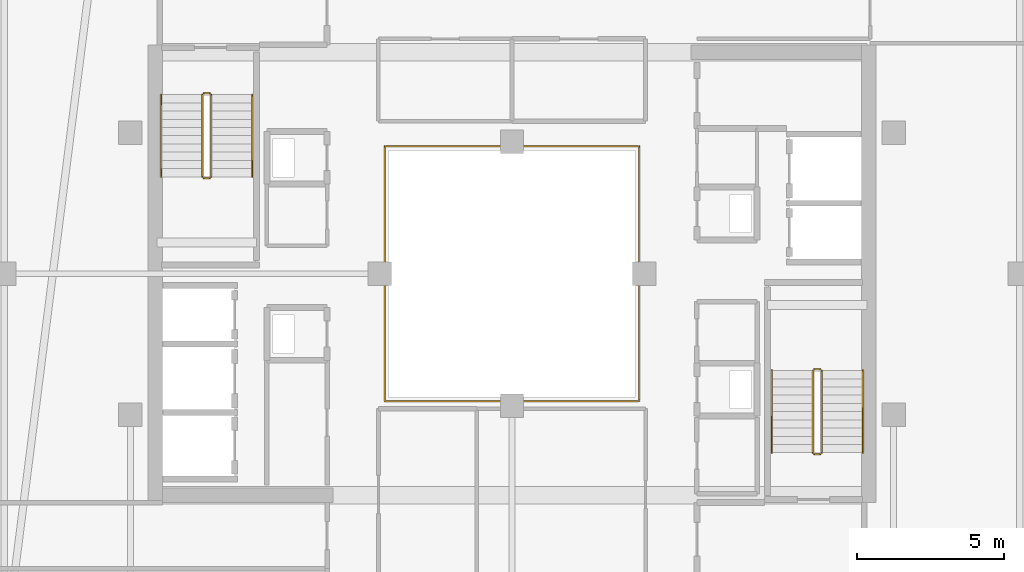
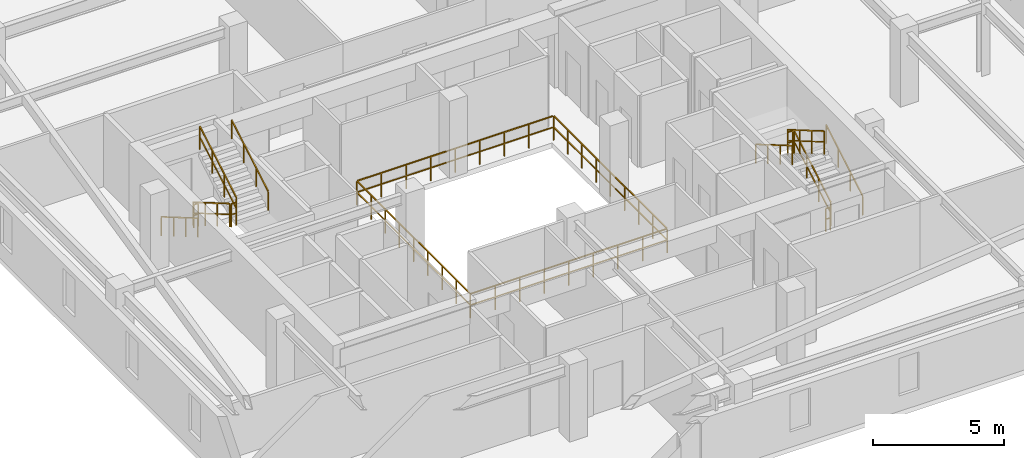
# One storey, part 34 of 35: 13 railings.
"""IFC4 building model written with IfcOpenShell, lengths in metres."""

from ifc_helpers import new_model, si_unit, direction, frame, origin, origin_2d, place, context, subcontext, project, spatial, rectangle, extrude, material, type_object, element, save


model = new_model("IFC4")

# Units and contexts
model_context = context("Model", 3, precision=1e-05, world=origin(), true_north=direction((0.0, 1.0)))
body_context = subcontext(model_context, "Body", "Model", "MODEL_VIEW")
ifc_project = project(units=[si_unit("LENGTHUNIT", "METRE"), si_unit("AREAUNIT", "SQUARE_METRE"), si_unit("VOLUMEUNIT", "CUBIC_METRE"), si_unit("PLANEANGLEUNIT", "RADIAN"), si_unit("MASSUNIT", "GRAM", prefix="KILO")], contexts=[model_context])

# Site, building, storey
site_placement = place(None, origin())
site = spatial("IfcSite", under=ifc_project, at=site_placement, CompositionType="ELEMENT")
building_placement = place(site_placement, origin())
building = spatial("IfcBuilding", under=site, at=building_placement, Name="Thornwick Lancets Civic Towers", CompositionType="ELEMENT")
storey_placement = place(building_placement, frame((0.0, 0.0, 265.5)))
storey = spatial("IfcBuildingStorey", under=building, at=storey_placement, Name="L71", CompositionType="ELEMENT", Elevation=265.5)

# Railings
ifc_material_1 = material(Name="Laminated glass and bronze steel S355", Category="steel")
railing_type_1 = type_object("IfcRailingType", Name="RAIL_ATRIUM_GUARD", PredefinedType="BALUSTRADE", material=ifc_material_1)
railing_1_placement = place(storey_placement, frame((84.159912109375, 22.659912109375, 0.0)))
element("IfcRailing", 1, at=railing_1_placement, inside=storey, type_object=railing_type_1, Name="L71 Tower B Central Atrium Guard Balustrade", PredefinedType="BALUSTRADE", context=body_context, shape_type="SweptSolid", body=[
    extrude(rectangle(XDim=0.048095703125, YDim=0.048095703125, at=origin_2d()), frame((0.0, 0.0, 1.1259765625), z_axis=(1.0, 0.0, 0.0), x_axis=(0.0, 1.0, 0.0)), (0.0, 0.0, 1.0), 8.64892578125),
    extrude(rectangle(XDim=0.0419921875, YDim=0.0419921875, at=origin_2d()), frame((0.03759765625, 0.0, 0.597900390625), z_axis=(1.0, 0.0, 0.0), x_axis=(0.0, 1.0, 0.0)), (0.0, 0.0, 1.0), 1.010009765625),
    extrude(rectangle(XDim=0.0419921875, YDim=0.0419921875, at=origin_2d()), frame((1.12255859375, 0.0, 0.597900390625), z_axis=(1.0, 0.0, 0.0), x_axis=(0.0, 1.0, 0.0)), (0.0, 0.0, 1.0), 1.010009765625),
    extrude(rectangle(XDim=0.0419921875, YDim=0.0419921875, at=origin_2d()), frame((2.20751953125, 0.0, 0.597900390625), z_axis=(1.0, 0.0, 0.0), x_axis=(0.0, 1.0, 0.0)), (0.0, 0.0, 1.0), 1.010009765625),
    extrude(rectangle(XDim=0.0419921875, YDim=0.0419921875, at=origin_2d()), frame((3.29248046875, 0.0, 0.597900390625), z_axis=(1.0, 0.0, 0.0), x_axis=(0.0, 1.0, 0.0)), (0.0, 0.0, 1.0), 1.010009765625),
    extrude(rectangle(XDim=0.0419921875, YDim=0.0419921875, at=origin_2d()), frame((4.377685546875, 0.0, 0.597900390625), z_axis=(1.0, 0.0, 0.0), x_axis=(0.0, 1.0, 0.0)), (0.0, 0.0, 1.0), 1.010009765625),
    extrude(rectangle(XDim=0.0419921875, YDim=0.0419921875, at=origin_2d()), frame((5.462646484375, 0.0, 0.597900390625), z_axis=(1.0, 0.0, 0.0), x_axis=(0.0, 1.0, 0.0)), (0.0, 0.0, 1.0), 1.010009765625),
    extrude(rectangle(XDim=0.0419921875, YDim=0.0419921875, at=origin_2d()), frame((6.547607421875, 0.0, 0.597900390625), z_axis=(1.0, 0.0, 0.0), x_axis=(0.0, 1.0, 0.0)), (0.0, 0.0, 1.0), 1.010009765625),
    extrude(rectangle(XDim=0.0419921875, YDim=0.0419921875, at=origin_2d()), frame((7.632568359375, 0.0, 0.597900390625), z_axis=(1.0, 0.0, 0.0), x_axis=(0.0, 1.0, 0.0)), (0.0, 0.0, 1.0), 1.010009765625),
    extrude(rectangle(XDim=0.048095703125, YDim=0.048095703125, at=origin_2d()), frame((8.68017578125, 0.03125, 1.1259765625), z_axis=(0.0, 1.0, 0.0), x_axis=(-1.0, 0.0, 0.0)), (0.0, 0.0, 1.0), 8.61767578125),
    extrude(rectangle(XDim=0.0419921875, YDim=0.0419921875, at=origin_2d()), frame((8.68017578125, 0.03759765625, 0.597900390625), z_axis=(0.0, 1.0, 0.0), x_axis=(-1.0, 0.0, 0.0)), (0.0, 0.0, 1.0), 1.010009765625),
    extrude(rectangle(XDim=0.0419921875, YDim=0.0419921875, at=origin_2d()), frame((8.68017578125, 1.12255859375, 0.597900390625), z_axis=(0.0, 1.0, 0.0), x_axis=(-1.0, 0.0, 0.0)), (0.0, 0.0, 1.0), 1.010009765625),
    extrude(rectangle(XDim=0.0419921875, YDim=0.0419921875, at=origin_2d()), frame((8.68017578125, 2.20751953125, 0.597900390625), z_axis=(0.0, 1.0, 0.0), x_axis=(-1.0, 0.0, 0.0)), (0.0, 0.0, 1.0), 1.010009765625),
    extrude(rectangle(XDim=0.0419921875, YDim=0.0419921875, at=origin_2d()), frame((8.68017578125, 3.29248046875, 0.597900390625), z_axis=(0.0, 1.0, 0.0), x_axis=(-1.0, 0.0, 0.0)), (0.0, 0.0, 1.0), 1.010009765625),
    extrude(rectangle(XDim=0.0419921875, YDim=0.0419921875, at=origin_2d()), frame((8.68017578125, 4.377685546875, 0.597900390625), z_axis=(0.0, 1.0, 0.0), x_axis=(-1.0, 0.0, 0.0)), (0.0, 0.0, 1.0), 1.010009765625),
    extrude(rectangle(XDim=0.0419921875, YDim=0.0419921875, at=origin_2d()), frame((8.68017578125, 5.462646484375, 0.597900390625), z_axis=(0.0, 1.0, 0.0), x_axis=(-1.0, 0.0, 0.0)), (0.0, 0.0, 1.0), 1.010009765625),
    extrude(rectangle(XDim=0.0419921875, YDim=0.0419921875, at=origin_2d()), frame((8.68017578125, 6.547607421875, 0.597900390625), z_axis=(0.0, 1.0, 0.0), x_axis=(-1.0, 0.0, 0.0)), (0.0, 0.0, 1.0), 1.010009765625),
    extrude(rectangle(XDim=0.0419921875, YDim=0.0419921875, at=origin_2d()), frame((8.68017578125, 7.632568359375, 0.597900390625), z_axis=(0.0, 1.0, 0.0), x_axis=(-1.0, 0.0, 0.0)), (0.0, 0.0, 1.0), 1.010009765625),
    extrude(rectangle(XDim=0.048095703125, YDim=0.048095703125, at=origin_2d()), frame((8.64892578125, 8.68017578125, 1.1259765625), z_axis=(-1.0, 0.0, 0.0), x_axis=(0.0, -1.0, 0.0)), (0.0, 0.0, 1.0), 8.61767578125),
    extrude(rectangle(XDim=0.0419921875, YDim=0.0419921875, at=origin_2d()), frame((8.642578125, 8.68017578125, 0.597900390625), z_axis=(-1.0, 0.0, 0.0), x_axis=(0.0, -1.0, 0.0)), (0.0, 0.0, 1.0), 1.010009765625),
    extrude(rectangle(XDim=0.0419921875, YDim=0.0419921875, at=origin_2d()), frame((7.5576171875, 8.68017578125, 0.597900390625), z_axis=(-1.0, 0.0, 0.0), x_axis=(0.0, -1.0, 0.0)), (0.0, 0.0, 1.0), 1.010009765625),
    extrude(rectangle(XDim=0.0419921875, YDim=0.0419921875, at=origin_2d()), frame((6.47265625, 8.68017578125, 0.597900390625), z_axis=(-1.0, 0.0, 0.0), x_axis=(0.0, -1.0, 0.0)), (0.0, 0.0, 1.0), 1.010009765625),
    extrude(rectangle(XDim=0.0419921875, YDim=0.0419921875, at=origin_2d()), frame((5.3876953125, 8.68017578125, 0.597900390625), z_axis=(-1.0, 0.0, 0.0), x_axis=(0.0, -1.0, 0.0)), (0.0, 0.0, 1.0), 1.010009765625),
    extrude(rectangle(XDim=0.0419921875, YDim=0.0419921875, at=origin_2d()), frame((4.302490234375, 8.68017578125, 0.597900390625), z_axis=(-1.0, 0.0, 0.0), x_axis=(0.0, -1.0, 0.0)), (0.0, 0.0, 1.0), 1.010009765625),
    extrude(rectangle(XDim=0.0419921875, YDim=0.0419921875, at=origin_2d()), frame((3.217529296875, 8.68017578125, 0.597900390625), z_axis=(-1.0, 0.0, 0.0), x_axis=(0.0, -1.0, 0.0)), (0.0, 0.0, 1.0), 1.010009765625),
    extrude(rectangle(XDim=0.0419921875, YDim=0.0419921875, at=origin_2d()), frame((2.132568359375, 8.68017578125, 0.597900390625), z_axis=(-1.0, 0.0, 0.0), x_axis=(0.0, -1.0, 0.0)), (0.0, 0.0, 1.0), 1.010009765625),
    extrude(rectangle(XDim=0.0419921875, YDim=0.0419921875, at=origin_2d()), frame((1.047607421875, 8.68017578125, 0.597900390625), z_axis=(-1.0, 0.0, 0.0), x_axis=(0.0, -1.0, 0.0)), (0.0, 0.0, 1.0), 1.010009765625),
    extrude(rectangle(XDim=0.048095703125, YDim=0.048095703125, at=origin_2d()), frame((0.0, 8.64892578125, 1.1259765625), z_axis=(0.0, -1.0, 0.0), x_axis=(1.0, 0.0, 0.0)), (0.0, 0.0, 1.0), 8.64892578125),
    extrude(rectangle(XDim=0.0419921875, YDim=0.0419921875, at=origin_2d()), frame((0.0, 8.642578125, 0.597900390625), z_axis=(0.0, -1.0, 0.0), x_axis=(1.0, 0.0, 0.0)), (0.0, 0.0, 1.0), 1.010009765625),
    extrude(rectangle(XDim=0.0419921875, YDim=0.0419921875, at=origin_2d()), frame((0.0, 7.5576171875, 0.597900390625), z_axis=(0.0, -1.0, 0.0), x_axis=(1.0, 0.0, 0.0)), (0.0, 0.0, 1.0), 1.010009765625),
    extrude(rectangle(XDim=0.0419921875, YDim=0.0419921875, at=origin_2d()), frame((0.0, 6.47265625, 0.597900390625), z_axis=(0.0, -1.0, 0.0), x_axis=(1.0, 0.0, 0.0)), (0.0, 0.0, 1.0), 1.010009765625),
    extrude(rectangle(XDim=0.0419921875, YDim=0.0419921875, at=origin_2d()), frame((0.0, 5.3876953125, 0.597900390625), z_axis=(0.0, -1.0, 0.0), x_axis=(1.0, 0.0, 0.0)), (0.0, 0.0, 1.0), 1.010009765625),
    extrude(rectangle(XDim=0.0419921875, YDim=0.0419921875, at=origin_2d()), frame((0.0, 4.302490234375, 0.597900390625), z_axis=(0.0, -1.0, 0.0), x_axis=(1.0, 0.0, 0.0)), (0.0, 0.0, 1.0), 1.010009765625),
    extrude(rectangle(XDim=0.0419921875, YDim=0.0419921875, at=origin_2d()), frame((0.0, 3.217529296875, 0.597900390625), z_axis=(0.0, -1.0, 0.0), x_axis=(1.0, 0.0, 0.0)), (0.0, 0.0, 1.0), 1.010009765625),
    extrude(rectangle(XDim=0.0419921875, YDim=0.0419921875, at=origin_2d()), frame((0.0, 2.132568359375, 0.597900390625), z_axis=(0.0, -1.0, 0.0), x_axis=(1.0, 0.0, 0.0)), (0.0, 0.0, 1.0), 1.010009765625),
    extrude(rectangle(XDim=0.0419921875, YDim=0.0419921875, at=origin_2d()), frame((0.0, 1.047607421875, 0.597900390625), z_axis=(0.0, -1.0, 0.0), x_axis=(1.0, 0.0, 0.0)), (0.0, 0.0, 1.0), 1.010009765625),
    extrude(rectangle(XDim=0.0419921875, YDim=0.0419921875, at=origin_2d()), origin(), (0.0, 0.0, 1.0), 1.095703125),
    extrude(rectangle(XDim=0.0419921875, YDim=0.0419921875, at=origin_2d()), frame((1.0849609375, 0.0, 0.0)), (0.0, 0.0, 1.0), 1.095703125),
    extrude(rectangle(XDim=0.0419921875, YDim=0.0419921875, at=origin_2d()), frame((2.169921875, 0.0, 0.0)), (0.0, 0.0, 1.0), 1.095703125),
    extrude(rectangle(XDim=0.0419921875, YDim=0.0419921875, at=origin_2d()), frame((3.255126953125, 0.0, 0.0)), (0.0, 0.0, 1.0), 1.095703125),
    extrude(rectangle(XDim=0.0419921875, YDim=0.0419921875, at=origin_2d()), frame((4.340087890625, 0.0, 0.0)), (0.0, 0.0, 1.0), 1.095703125),
    extrude(rectangle(XDim=0.0419921875, YDim=0.0419921875, at=origin_2d()), frame((5.425048828125, 0.0, 0.0)), (0.0, 0.0, 1.0), 1.095703125),
    extrude(rectangle(XDim=0.0419921875, YDim=0.0419921875, at=origin_2d()), frame((6.51025390625, 0.0, 0.0)), (0.0, 0.0, 1.0), 1.095703125),
    extrude(rectangle(XDim=0.0419921875, YDim=0.0419921875, at=origin_2d()), frame((7.59521484375, 0.0, 0.0)), (0.0, 0.0, 1.0), 1.095703125),
    extrude(rectangle(XDim=0.0419921875, YDim=0.0419921875, at=origin_2d()), frame((8.68017578125, 0.0, 0.0)), (0.0, 0.0, 1.0), 1.095703125),
    extrude(rectangle(XDim=0.0419921875, YDim=0.0419921875, at=origin_2d()), frame((8.68017578125, 1.0849609375, 0.0)), (0.0, 0.0, 1.0), 1.095703125),
    extrude(rectangle(XDim=0.0419921875, YDim=0.0419921875, at=origin_2d()), frame((8.68017578125, 2.169921875, 0.0)), (0.0, 0.0, 1.0), 1.095703125),
    extrude(rectangle(XDim=0.0419921875, YDim=0.0419921875, at=origin_2d()), frame((8.68017578125, 3.255126953125, 0.0)), (0.0, 0.0, 1.0), 1.095703125),
    extrude(rectangle(XDim=0.0419921875, YDim=0.0419921875, at=origin_2d()), frame((8.68017578125, 4.340087890625, 0.0)), (0.0, 0.0, 1.0), 1.095703125),
    extrude(rectangle(XDim=0.0419921875, YDim=0.0419921875, at=origin_2d()), frame((8.68017578125, 5.425048828125, 0.0)), (0.0, 0.0, 1.0), 1.095703125),
    extrude(rectangle(XDim=0.0419921875, YDim=0.0419921875, at=origin_2d()), frame((8.68017578125, 6.51025390625, 0.0)), (0.0, 0.0, 1.0), 1.095703125),
    extrude(rectangle(XDim=0.0419921875, YDim=0.0419921875, at=origin_2d()), frame((8.68017578125, 7.59521484375, 0.0)), (0.0, 0.0, 1.0), 1.095703125),
    extrude(rectangle(XDim=0.0419921875, YDim=0.0419921875, at=origin_2d()), frame((8.68017578125, 8.68017578125, 0.0)), (0.0, 0.0, 1.0), 1.095703125),
    extrude(rectangle(XDim=0.0419921875, YDim=0.0419921875, at=origin_2d()), frame((7.59521484375, 8.68017578125, 0.0)), (0.0, 0.0, 1.0), 1.095703125),
    extrude(rectangle(XDim=0.0419921875, YDim=0.0419921875, at=origin_2d()), frame((6.51025390625, 8.68017578125, 0.0)), (0.0, 0.0, 1.0), 1.095703125),
    extrude(rectangle(XDim=0.0419921875, YDim=0.0419921875, at=origin_2d()), frame((5.425048828125, 8.68017578125, 0.0)), (0.0, 0.0, 1.0), 1.095703125),
    extrude(rectangle(XDim=0.0419921875, YDim=0.0419921875, at=origin_2d()), frame((4.340087890625, 8.68017578125, 0.0)), (0.0, 0.0, 1.0), 1.095703125),
    extrude(rectangle(XDim=0.0419921875, YDim=0.0419921875, at=origin_2d()), frame((3.255126953125, 8.68017578125, 0.0)), (0.0, 0.0, 1.0), 1.095703125),
    extrude(rectangle(XDim=0.0419921875, YDim=0.0419921875, at=origin_2d()), frame((2.169921875, 8.68017578125, 0.0)), (0.0, 0.0, 1.0), 1.095703125),
    extrude(rectangle(XDim=0.0419921875, YDim=0.0419921875, at=origin_2d()), frame((1.0849609375, 8.68017578125, 0.0)), (0.0, 0.0, 1.0), 1.095703125),
    extrude(rectangle(XDim=0.0419921875, YDim=0.0419921875, at=origin_2d()), frame((0.0, 8.68017578125, 0.0)), (0.0, 0.0, 1.0), 1.095703125),
    extrude(rectangle(XDim=0.0419921875, YDim=0.0419921875, at=origin_2d()), frame((0.0, 7.59521484375, 0.0)), (0.0, 0.0, 1.0), 1.095703125),
    extrude(rectangle(XDim=0.0419921875, YDim=0.0419921875, at=origin_2d()), frame((0.0, 6.51025390625, 0.0)), (0.0, 0.0, 1.0), 1.095703125),
    extrude(rectangle(XDim=0.0419921875, YDim=0.0419921875, at=origin_2d()), frame((0.0, 5.425048828125, 0.0)), (0.0, 0.0, 1.0), 1.095703125),
    extrude(rectangle(XDim=0.0419921875, YDim=0.0419921875, at=origin_2d()), frame((0.0, 4.340087890625, 0.0)), (0.0, 0.0, 1.0), 1.095703125),
    extrude(rectangle(XDim=0.0419921875, YDim=0.0419921875, at=origin_2d()), frame((0.0, 3.255126953125, 0.0)), (0.0, 0.0, 1.0), 1.095703125),
    extrude(rectangle(XDim=0.0419921875, YDim=0.0419921875, at=origin_2d()), frame((0.0, 2.169921875, 0.0)), (0.0, 0.0, 1.0), 1.095703125),
    extrude(rectangle(XDim=0.0419921875, YDim=0.0419921875, at=origin_2d()), frame((0.0, 1.0849609375, 0.0)), (0.0, 0.0, 1.0), 1.095703125),
])
ifc_material_2 = material(Name="Brushed stainless steel S355", Category="steel")
railing_type_2 = type_object("IfcRailingType", Name="RAIL_HANDRAIL", PredefinedType="HANDRAIL", material=ifc_material_2)
railing_2_placement = place(storey_placement, frame((100.449951171875, 20.89990234375, 0.16357421875)))
element("IfcRailing", 2, at=railing_2_placement, inside=storey, type_object=railing_type_2, Name="L71 ST-B1 stair handrail 1", PredefinedType="HANDRAIL", context=body_context, shape_type="SweptSolid", body=[
    extrude(rectangle(XDim=0.048095703125, YDim=0.048095703125, at=origin_2d()), frame((0.0, 0.0, 0.8857421875), z_axis=(0.0, 0.863360870873, 0.504586966384), x_axis=(-1.0, 0.0, 0.0)), (0.0, 0.0, 1.0), 3.2431640625),
    extrude(rectangle(XDim=0.0419921875, YDim=0.0419921875, at=origin_2d()), origin(), (0.0, 0.0, 1.0), 0.855712890625),
    extrude(rectangle(XDim=0.0419921875, YDim=0.0419921875, at=origin_2d()), frame((0.0, 0.933349609375, 0.54541015625)), (0.0, 0.0, 1.0), 0.855712890625),
    extrude(rectangle(XDim=0.0419921875, YDim=0.0419921875, at=origin_2d()), frame((0.0, 1.86669921875, 1.091064453125)), (0.0, 0.0, 1.0), 0.855712890625),
    extrude(rectangle(XDim=0.0419921875, YDim=0.0419921875, at=origin_2d()), frame((0.0, 2.800048828125, 1.636474609375)), (0.0, 0.0, 1.0), 0.855712890625),
])
for number, where, name in (
    (3, (97.35009765625, 23.699951171875, 1.963623046875), "L71 ST-B1 stair handrail 2"),
    (4, (76.550048828125, 33.10009765625, 0.16357421875), "L71 ST-B2 stair handrail 1"),
):
    element("IfcRailing", number, at=place(storey_placement, frame(where)), inside=storey, type_object=railing_type_2, Name=name, PredefinedType="HANDRAIL", context=body_context, shape_type="SweptSolid", body=[
        extrude(rectangle(XDim=0.048095703125, YDim=0.048095703125, at=origin_2d()), frame((0.0, 0.0, 0.8857421875), z_axis=(0.0, -0.863360870873, 0.504586966384), x_axis=(1.0, 0.0, 0.0)), (0.0, 0.0, 1.0), 3.2431640625),
        extrude(rectangle(XDim=0.0419921875, YDim=0.0419921875, at=origin_2d()), origin(), (0.0, 0.0, 1.0), 0.855712890625),
        extrude(rectangle(XDim=0.0419921875, YDim=0.0419921875, at=origin_2d()), frame((0.0, -0.933349609375, 0.54541015625)), (0.0, 0.0, 1.0), 0.855712890625),
        extrude(rectangle(XDim=0.0419921875, YDim=0.0419921875, at=origin_2d()), frame((0.0, -1.86669921875, 1.091064453125)), (0.0, 0.0, 1.0), 0.855712890625),
        extrude(rectangle(XDim=0.0419921875, YDim=0.0419921875, at=origin_2d()), frame((0.0, -2.800048828125, 1.636474609375)), (0.0, 0.0, 1.0), 0.855712890625),
    ])
railing_3_placement = place(storey_placement, frame((79.64990234375, 30.300048828125, 1.963623046875)))
element("IfcRailing", 5, at=railing_3_placement, inside=storey, type_object=railing_type_2, Name="L71 ST-B2 stair handrail 2", PredefinedType="HANDRAIL", context=body_context, shape_type="SweptSolid", body=[
    extrude(rectangle(XDim=0.048095703125, YDim=0.048095703125, at=origin_2d()), frame((0.0, 0.0, 0.8857421875), z_axis=(0.0, 0.863360870873, 0.504586966384), x_axis=(-1.0, 0.0, 0.0)), (0.0, 0.0, 1.0), 3.2431640625),
    extrude(rectangle(XDim=0.0419921875, YDim=0.0419921875, at=origin_2d()), origin(), (0.0, 0.0, 1.0), 0.855712890625),
    extrude(rectangle(XDim=0.0419921875, YDim=0.0419921875, at=origin_2d()), frame((0.0, 0.933349609375, 0.54541015625)), (0.0, 0.0, 1.0), 0.855712890625),
    extrude(rectangle(XDim=0.0419921875, YDim=0.0419921875, at=origin_2d()), frame((0.0, 1.86669921875, 1.091064453125)), (0.0, 0.0, 1.0), 0.855712890625),
    extrude(rectangle(XDim=0.0419921875, YDim=0.0419921875, at=origin_2d()), frame((0.0, 2.800048828125, 1.636474609375)), (0.0, 0.0, 1.0), 0.855712890625),
])
ifc_material_3 = material(Name="Steel S355JR", Category="steel")
railing_type_3 = type_object("IfcRailingType", Name="RAIL_STAIR_GUARD", PredefinedType="GUARDRAIL", material=ifc_material_3)
railing_4_placement = place(storey_placement, frame((99.050048828125, 20.89990234375, 0.16357421875)))
element("IfcRailing", 6, at=railing_4_placement, inside=storey, type_object=railing_type_3, Name="L71 ST-B1 stair guard 1", PredefinedType="GUARDRAIL", context=body_context, shape_type="SweptSolid", body=[
    extrude(rectangle(XDim=0.048095703125, YDim=0.048095703125, at=origin_2d()), frame((0.0, 0.0, 1.076171875), z_axis=(0.0, 0.863360870873, 0.504586966384), x_axis=(-1.0, 0.0, 0.0)), (0.0, 0.0, 1.0), 3.2431640625),
    extrude(rectangle(XDim=0.0419921875, YDim=0.0419921875, at=origin_2d()), frame((0.0, 0.032470703125, 0.591064453125), z_axis=(0.0, 0.863360870873, 0.504586966384), x_axis=(-1.0, 0.0, 0.0)), (0.0, 0.0, 1.0), 1.006103515625),
    extrude(rectangle(XDim=0.0419921875, YDim=0.0419921875, at=origin_2d()), frame((0.0, 0.9658203125, 1.136474609375), z_axis=(0.0, 0.863360870873, 0.504586966384), x_axis=(-1.0, 0.0, 0.0)), (0.0, 0.0, 1.0), 1.006103515625),
    extrude(rectangle(XDim=0.0419921875, YDim=0.0419921875, at=origin_2d()), frame((0.0, 1.899169921875, 1.681884765625), z_axis=(0.0, 0.863360870873, 0.504586966384), x_axis=(-1.0, 0.0, 0.0)), (0.0, 0.0, 1.0), 1.006103515625),
    extrude(rectangle(XDim=0.0419921875, YDim=0.0419921875, at=origin_2d()), origin(), (0.0, 0.0, 1.0), 1.0458984375),
    extrude(rectangle(XDim=0.0419921875, YDim=0.0419921875, at=origin_2d()), frame((0.0, 0.933349609375, 0.54541015625)), (0.0, 0.0, 1.0), 1.0458984375),
    extrude(rectangle(XDim=0.0419921875, YDim=0.0419921875, at=origin_2d()), frame((0.0, 1.86669921875, 1.091064453125)), (0.0, 0.0, 1.0), 1.0458984375),
    extrude(rectangle(XDim=0.0419921875, YDim=0.0419921875, at=origin_2d()), frame((0.0, 2.800048828125, 1.636474609375)), (0.0, 0.0, 1.0), 1.0458984375),
])
railing_5_placement = place(storey_placement, frame((99.0, 23.75, 1.800048828125)))
element("IfcRailing", 7, at=railing_5_placement, inside=storey, type_object=railing_type_3, Name="L71 ST-B1 stair guard 2", PredefinedType="GUARDRAIL", context=body_context, shape_type="SweptSolid", body=[
    extrude(rectangle(XDim=0.048095703125, YDim=0.048095703125, at=origin_2d()), frame((0.0, 0.0, 1.076171875), z_axis=(-1.0, 0.0, 0.0), x_axis=(0.0, -1.0, 0.0)), (0.0, 0.0, 1.0), 0.199951171875),
    extrude(rectangle(XDim=0.0419921875, YDim=0.0419921875, at=origin_2d()), frame((-0.03759765625, 0.0, 0.572021484375), z_axis=(-1.0, 0.0, 0.0), x_axis=(0.0, -1.0, 0.0)), (0.0, 0.0, 1.0), 0.125),
    extrude(rectangle(XDim=0.0419921875, YDim=0.0419921875, at=origin_2d()), origin(), (0.0, 0.0, 1.0), 1.0458984375),
    extrude(rectangle(XDim=0.0419921875, YDim=0.0419921875, at=origin_2d()), frame((-0.199951171875, 0.0, 0.0)), (0.0, 0.0, 1.0), 1.0458984375),
])
railing_6_placement = place(storey_placement, frame((98.75, 23.699951171875, 1.963623046875)))
element("IfcRailing", 8, at=railing_6_placement, inside=storey, type_object=railing_type_3, Name="L71 ST-B1 stair guard 3", PredefinedType="GUARDRAIL", context=body_context, shape_type="SweptSolid", body=[
    extrude(rectangle(XDim=0.048095703125, YDim=0.048095703125, at=origin_2d()), frame((0.0, 0.0, 1.076171875), z_axis=(0.0, -0.863360870873, 0.504586966384), x_axis=(1.0, 0.0, 0.0)), (0.0, 0.0, 1.0), 3.2431640625),
    extrude(rectangle(XDim=0.0419921875, YDim=0.0419921875, at=origin_2d()), frame((0.0, -0.032470703125, 0.591064453125), z_axis=(0.0, -0.863360870873, 0.504586966384), x_axis=(1.0, 0.0, 0.0)), (0.0, 0.0, 1.0), 1.006103515625),
    extrude(rectangle(XDim=0.0419921875, YDim=0.0419921875, at=origin_2d()), frame((0.0, -0.9658203125, 1.136474609375), z_axis=(0.0, -0.863360870873, 0.504586966384), x_axis=(1.0, 0.0, 0.0)), (0.0, 0.0, 1.0), 1.006103515625),
    extrude(rectangle(XDim=0.0419921875, YDim=0.0419921875, at=origin_2d()), frame((0.0, -1.899169921875, 1.681884765625), z_axis=(0.0, -0.863360870873, 0.504586966384), x_axis=(1.0, 0.0, 0.0)), (0.0, 0.0, 1.0), 1.006103515625),
    extrude(rectangle(XDim=0.0419921875, YDim=0.0419921875, at=origin_2d()), origin(), (0.0, 0.0, 1.0), 1.0458984375),
    extrude(rectangle(XDim=0.0419921875, YDim=0.0419921875, at=origin_2d()), frame((0.0, -0.933349609375, 0.54541015625)), (0.0, 0.0, 1.0), 1.0458984375),
    extrude(rectangle(XDim=0.0419921875, YDim=0.0419921875, at=origin_2d()), frame((0.0, -1.86669921875, 1.091064453125)), (0.0, 0.0, 1.0), 1.0458984375),
    extrude(rectangle(XDim=0.0419921875, YDim=0.0419921875, at=origin_2d()), frame((0.0, -2.800048828125, 1.636474609375)), (0.0, 0.0, 1.0), 1.0458984375),
])
railing_7_placement = place(storey_placement, frame((99.0, 20.85009765625, 0.0)))
element("IfcRailing", 9, at=railing_7_placement, inside=storey, type_object=railing_type_3, Name="L71 ST-B1 stair guard 4", PredefinedType="GUARDRAIL", context=body_context, shape_type="SweptSolid", body=[
    extrude(rectangle(XDim=0.048095703125, YDim=0.048095703125, at=origin_2d()), frame((0.0, 0.0, 1.076171875), z_axis=(-1.0, 0.0, 0.0), x_axis=(0.0, -1.0, 0.0)), (0.0, 0.0, 1.0), 0.199951171875),
    extrude(rectangle(XDim=0.0419921875, YDim=0.0419921875, at=origin_2d()), frame((-0.03759765625, 0.0, 0.572021484375), z_axis=(-1.0, 0.0, 0.0), x_axis=(0.0, -1.0, 0.0)), (0.0, 0.0, 1.0), 0.125),
    extrude(rectangle(XDim=0.0419921875, YDim=0.0419921875, at=origin_2d()), origin(), (0.0, 0.0, 1.0), 1.0458984375),
    extrude(rectangle(XDim=0.0419921875, YDim=0.0419921875, at=origin_2d()), frame((-0.199951171875, 0.0, 0.0)), (0.0, 0.0, 1.0), 1.0458984375),
])
railing_8_placement = place(storey_placement, frame((77.949951171875, 33.10009765625, 0.16357421875)))
element("IfcRailing", 10, at=railing_8_placement, inside=storey, type_object=railing_type_3, Name="L71 ST-B2 stair guard 1", PredefinedType="GUARDRAIL", context=body_context, shape_type="SweptSolid", body=[
    extrude(rectangle(XDim=0.048095703125, YDim=0.048095703125, at=origin_2d()), frame((0.0, 0.0, 1.076171875), z_axis=(0.0, -0.863360870873, 0.504586966384), x_axis=(1.0, 0.0, 0.0)), (0.0, 0.0, 1.0), 3.2431640625),
    extrude(rectangle(XDim=0.0419921875, YDim=0.0419921875, at=origin_2d()), frame((0.0, -0.032470703125, 0.591064453125), z_axis=(0.0, -0.863360870873, 0.504586966384), x_axis=(1.0, 0.0, 0.0)), (0.0, 0.0, 1.0), 1.006103515625),
    extrude(rectangle(XDim=0.0419921875, YDim=0.0419921875, at=origin_2d()), frame((0.0, -0.9658203125, 1.136474609375), z_axis=(0.0, -0.863360870873, 0.504586966384), x_axis=(1.0, 0.0, 0.0)), (0.0, 0.0, 1.0), 1.006103515625),
    extrude(rectangle(XDim=0.0419921875, YDim=0.0419921875, at=origin_2d()), frame((0.0, -1.899169921875, 1.681884765625), z_axis=(0.0, -0.863360870873, 0.504586966384), x_axis=(1.0, 0.0, 0.0)), (0.0, 0.0, 1.0), 1.006103515625),
    extrude(rectangle(XDim=0.0419921875, YDim=0.0419921875, at=origin_2d()), origin(), (0.0, 0.0, 1.0), 1.0458984375),
    extrude(rectangle(XDim=0.0419921875, YDim=0.0419921875, at=origin_2d()), frame((0.0, -0.933349609375, 0.54541015625)), (0.0, 0.0, 1.0), 1.0458984375),
    extrude(rectangle(XDim=0.0419921875, YDim=0.0419921875, at=origin_2d()), frame((0.0, -1.86669921875, 1.091064453125)), (0.0, 0.0, 1.0), 1.0458984375),
    extrude(rectangle(XDim=0.0419921875, YDim=0.0419921875, at=origin_2d()), frame((0.0, -2.800048828125, 1.636474609375)), (0.0, 0.0, 1.0), 1.0458984375),
])
railing_9_placement = place(storey_placement, frame((78.0, 30.25, 1.800048828125)))
element("IfcRailing", 11, at=railing_9_placement, inside=storey, type_object=railing_type_3, Name="L71 ST-B2 stair guard 2", PredefinedType="GUARDRAIL", context=body_context, shape_type="SweptSolid", body=[
    extrude(rectangle(XDim=0.048095703125, YDim=0.048095703125, at=origin_2d()), frame((0.0, 0.0, 1.076171875), z_axis=(1.0, 0.0, 0.0), x_axis=(0.0, 1.0, 0.0)), (0.0, 0.0, 1.0), 0.199951171875),
    extrude(rectangle(XDim=0.0419921875, YDim=0.0419921875, at=origin_2d()), frame((0.03759765625, 0.0, 0.572021484375), z_axis=(1.0, 0.0, 0.0), x_axis=(0.0, 1.0, 0.0)), (0.0, 0.0, 1.0), 0.125),
    extrude(rectangle(XDim=0.0419921875, YDim=0.0419921875, at=origin_2d()), origin(), (0.0, 0.0, 1.0), 1.0458984375),
    extrude(rectangle(XDim=0.0419921875, YDim=0.0419921875, at=origin_2d()), frame((0.199951171875, 0.0, 0.0)), (0.0, 0.0, 1.0), 1.0458984375),
])
railing_10_placement = place(storey_placement, frame((78.25, 30.300048828125, 1.963623046875)))
element("IfcRailing", 12, at=railing_10_placement, inside=storey, type_object=railing_type_3, Name="L71 ST-B2 stair guard 3", PredefinedType="GUARDRAIL", context=body_context, shape_type="SweptSolid", body=[
    extrude(rectangle(XDim=0.048095703125, YDim=0.048095703125, at=origin_2d()), frame((0.0, 0.0, 1.076171875), z_axis=(0.0, 0.863360870873, 0.504586966384), x_axis=(-1.0, 0.0, 0.0)), (0.0, 0.0, 1.0), 3.2431640625),
    extrude(rectangle(XDim=0.0419921875, YDim=0.0419921875, at=origin_2d()), frame((0.0, 0.032470703125, 0.591064453125), z_axis=(0.0, 0.863360870873, 0.504586966384), x_axis=(-1.0, 0.0, 0.0)), (0.0, 0.0, 1.0), 1.006103515625),
    extrude(rectangle(XDim=0.0419921875, YDim=0.0419921875, at=origin_2d()), frame((0.0, 0.9658203125, 1.136474609375), z_axis=(0.0, 0.863360870873, 0.504586966384), x_axis=(-1.0, 0.0, 0.0)), (0.0, 0.0, 1.0), 1.006103515625),
    extrude(rectangle(XDim=0.0419921875, YDim=0.0419921875, at=origin_2d()), frame((0.0, 1.899169921875, 1.681884765625), z_axis=(0.0, 0.863360870873, 0.504586966384), x_axis=(-1.0, 0.0, 0.0)), (0.0, 0.0, 1.0), 1.006103515625),
    extrude(rectangle(XDim=0.0419921875, YDim=0.0419921875, at=origin_2d()), origin(), (0.0, 0.0, 1.0), 1.0458984375),
    extrude(rectangle(XDim=0.0419921875, YDim=0.0419921875, at=origin_2d()), frame((0.0, 0.933349609375, 0.54541015625)), (0.0, 0.0, 1.0), 1.0458984375),
    extrude(rectangle(XDim=0.0419921875, YDim=0.0419921875, at=origin_2d()), frame((0.0, 1.86669921875, 1.091064453125)), (0.0, 0.0, 1.0), 1.0458984375),
    extrude(rectangle(XDim=0.0419921875, YDim=0.0419921875, at=origin_2d()), frame((0.0, 2.800048828125, 1.636474609375)), (0.0, 0.0, 1.0), 1.0458984375),
])
railing_11_placement = place(storey_placement, frame((78.0, 33.14990234375, 0.0)))
element("IfcRailing", 13, at=railing_11_placement, inside=storey, type_object=railing_type_3, Name="L71 ST-B2 stair guard 4", PredefinedType="GUARDRAIL", context=body_context, shape_type="SweptSolid", body=[
    extrude(rectangle(XDim=0.048095703125, YDim=0.048095703125, at=origin_2d()), frame((0.0, 0.0, 1.076171875), z_axis=(1.0, 0.0, 0.0), x_axis=(0.0, 1.0, 0.0)), (0.0, 0.0, 1.0), 0.199951171875),
    extrude(rectangle(XDim=0.0419921875, YDim=0.0419921875, at=origin_2d()), frame((0.03759765625, 0.0, 0.572021484375), z_axis=(1.0, 0.0, 0.0), x_axis=(0.0, 1.0, 0.0)), (0.0, 0.0, 1.0), 0.125),
    extrude(rectangle(XDim=0.0419921875, YDim=0.0419921875, at=origin_2d()), origin(), (0.0, 0.0, 1.0), 1.0458984375),
    extrude(rectangle(XDim=0.0419921875, YDim=0.0419921875, at=origin_2d()), frame((0.199951171875, 0.0, 0.0)), (0.0, 0.0, 1.0), 1.0458984375),
])

save(model, "model.ifc")
